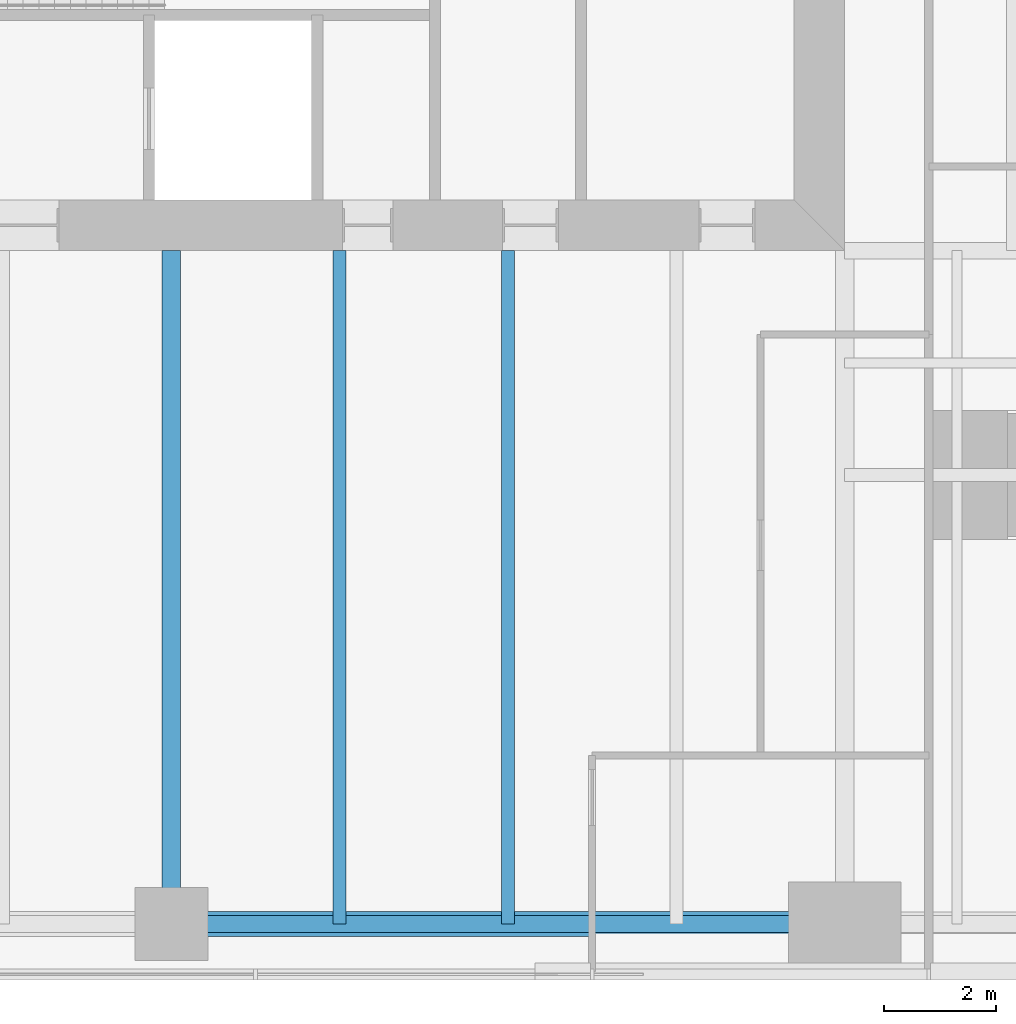
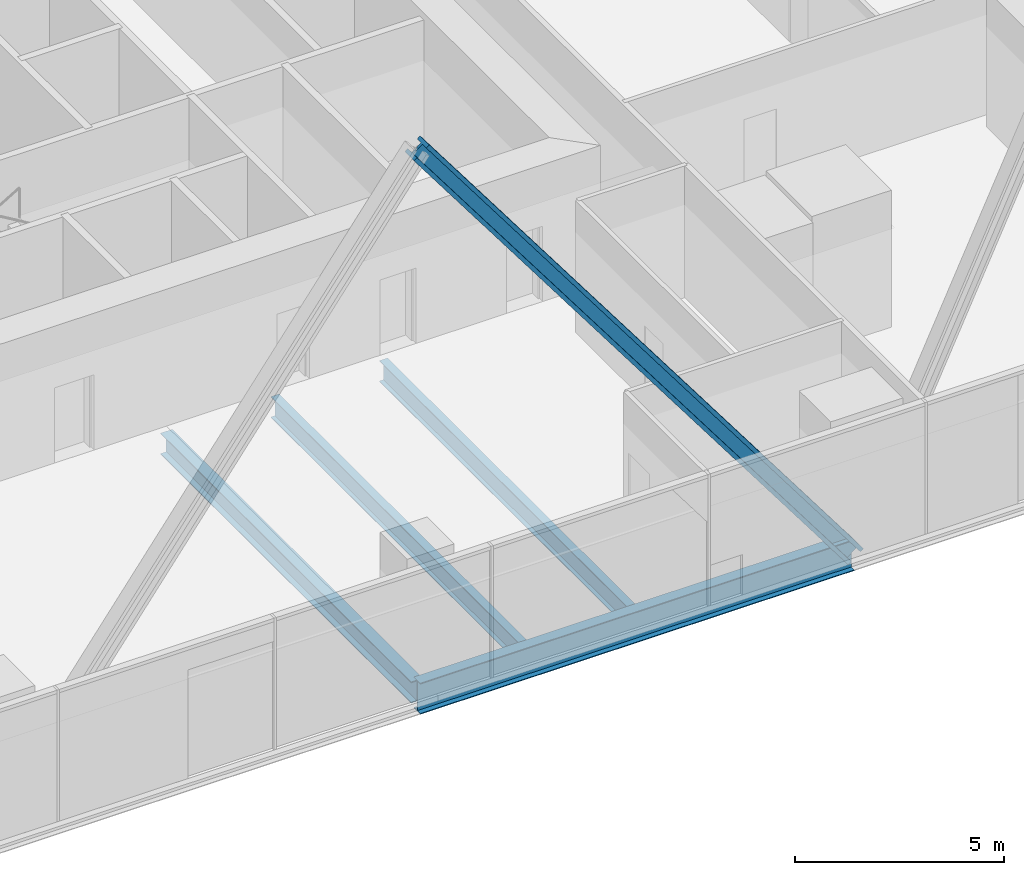
# One storey, part 3 of 14: 4 beams, 1 member.
"""IFC4 building model written with IfcOpenShell, lengths in metres."""

from ifc_helpers import new_model, si_unit, direction, frame, origin, origin_2d, place, context, subcontext, project, spatial, i_section, extrude, material, material_profile, profile_set, type_object, element, save


model = new_model("IFC4")

# Units and contexts
model_context = context("Model", 3, precision=1e-05, world=origin(), true_north=direction((0.0, 1.0)))
body_context = subcontext(model_context, "Body", "Model", "MODEL_VIEW")
ifc_project = project(units=[si_unit("LENGTHUNIT", "METRE"), si_unit("AREAUNIT", "SQUARE_METRE"), si_unit("VOLUMEUNIT", "CUBIC_METRE"), si_unit("PLANEANGLEUNIT", "RADIAN"), si_unit("MASSUNIT", "GRAM", prefix="KILO")], contexts=[model_context])

# Site, building, storey
site_placement = place(None, origin())
site = spatial("IfcSite", under=ifc_project, at=site_placement, CompositionType="ELEMENT")
building_placement = place(site_placement, origin())
building = spatial("IfcBuilding", under=site, at=building_placement, Name="Fenwick Lantern Interchange", CompositionType="ELEMENT")
storey_placement = place(building_placement, frame((0.0, 0.0, 130.39990234375)))
storey = spatial("IfcBuildingStorey", under=building, at=storey_placement, Name="L30", CompositionType="ELEMENT", Elevation=130.39990234375)

# Beam
ifc_material = material(Name="Steel ASTM A992 Grade 50", Category="steel")
ifc_material_profile_1 = material_profile(ifc_material, i_section(OverallWidth=0.3046875, OverallDepth=0.911865234375, WebThickness=0.015869140625, FlangeThickness=0.02392578125, at=origin_2d()), Name="W36X150")
ifc_profile_set_1 = profile_set([ifc_material_profile_1], Name="Steel ASTM A992 Grade 50")
beam_type_1 = type_object("IfcBeamType", Name="EDGE BEAM W36X150", PredefinedType="SPANDREL", material=ifc_profile_set_1)
beam_1_placement = place(storey_placement, frame((25.0, 1.0, -0.605712890625), z_axis=(1.0, 0.0, 0.0), x_axis=(0.0, 1.0, 0.0)))
element("IfcBeam", 1, at=beam_1_placement, inside=storey, type_object=beam_type_1, Name="L30/FR/S/EB3", PredefinedType="SPANDREL", context=body_context, shape_type="SweptSolid", body=[
    extrude(i_section(OverallWidth=0.3046875, OverallDepth=0.911865234375, WebThickness=0.015869140625, FlangeThickness=0.02392578125, at=origin_2d()), origin(), (0.0, 0.0, 1.0), 12.0),
])

# Member
ifc_material_profile_2 = material_profile(ifc_material, i_section(OverallWidth=0.44189453125, OverallDepth=0.53076171875, WebThickness=0.06591796875, FlangeThickness=0.105712890625, at=origin_2d()), Name="W14X605")
ifc_profile_set_2 = profile_set([ifc_material_profile_2], Name="Steel ASTM A992 Grade 50")
member_type = type_object("IfcMemberType", Name="FACADE BRACE W14X605", PredefinedType="BRACE", material=ifc_profile_set_2)
member_placement = place(storey_placement, frame((37.0, 1.0, -0.605712890625), z_axis=(-0.6, 0.0, 0.8), x_axis=(0.0, -1.0, 0.0)))
element("IfcMember", 2, at=member_placement, inside=storey, type_object=member_type, Name="L30/FB/S/B", PredefinedType="BRACE", context=body_context, shape_type="SweptSolid", body=[
    extrude(i_section(OverallWidth=0.44189453125, OverallDepth=0.53076171875, WebThickness=0.06591796875, FlangeThickness=0.105712890625, at=origin_2d()), origin(), (0.0, 0.0, 1.0), 20.0),
])

# Beams
ifc_material_profile_3 = material_profile(ifc_material, i_section(OverallWidth=0.22900390625, OverallDepth=0.612060546875, WebThickness=0.011962890625, FlangeThickness=0.01953125, at=origin_2d()), Name="W24X84")
ifc_profile_set_3 = profile_set([ifc_material_profile_3], Name="Steel ASTM A992 Grade 50")
beam_type_2 = type_object("IfcBeamType", Name="FLOOR BEAM W24X84", PredefinedType="BEAM", material=ifc_profile_set_3)
for number, where, z_axis, x_axis, name in (
    (3, (28.0, 1.0, -0.4560546875), (0.0, 1.0, 0.0), (-1.0, 0.0, 0.0), "L30/FR/S/R06"),
    (4, (31.0, 1.0, -0.4560546875), (0.0, 1.0, 0.0), (-1.0, 0.0, 0.0), "L30/FR/S/R07"),
):
    element("IfcBeam", number, at=place(storey_placement, frame(where, z_axis=z_axis, x_axis=x_axis)), inside=storey, type_object=beam_type_2, Name=name, PredefinedType="BEAM", context=body_context, shape_type="SweptSolid", body=[
        extrude(i_section(OverallWidth=0.22900390625, OverallDepth=0.612060546875, WebThickness=0.011962890625, FlangeThickness=0.01953125, at=origin_2d()), origin(), (0.0, 0.0, 1.0), 12.0),
    ])
ifc_material_profile_4 = material_profile(ifc_material, i_section(OverallWidth=0.32763671875, OverallDepth=0.622314453125, WebThickness=0.015380859375, FlangeThickness=0.0244140625, at=origin_2d()), Name="W24X131")
ifc_profile_set_4 = profile_set([ifc_material_profile_4], Name="Steel ASTM A992 Grade 50")
beam_type_3 = type_object("IfcBeamType", Name="MOMENT-CONNECTED GIRDER W24X131", PredefinedType="BEAM", material=ifc_profile_set_4)
beam_2_placement = place(storey_placement, frame((25.0, 1.0, -0.4609375), z_axis=(0.0, 1.0, 0.0), x_axis=(-1.0, 0.0, 0.0)))
element("IfcBeam", 5, at=beam_2_placement, inside=storey, type_object=beam_type_3, Name="L30/FR/S/R05", PredefinedType="BEAM", context=body_context, shape_type="SweptSolid", body=[
    extrude(i_section(OverallWidth=0.32763671875, OverallDepth=0.622314453125, WebThickness=0.015380859375, FlangeThickness=0.0244140625, at=origin_2d()), origin(), (0.0, 0.0, 1.0), 12.0),
])

save(model, "model.ifc")
